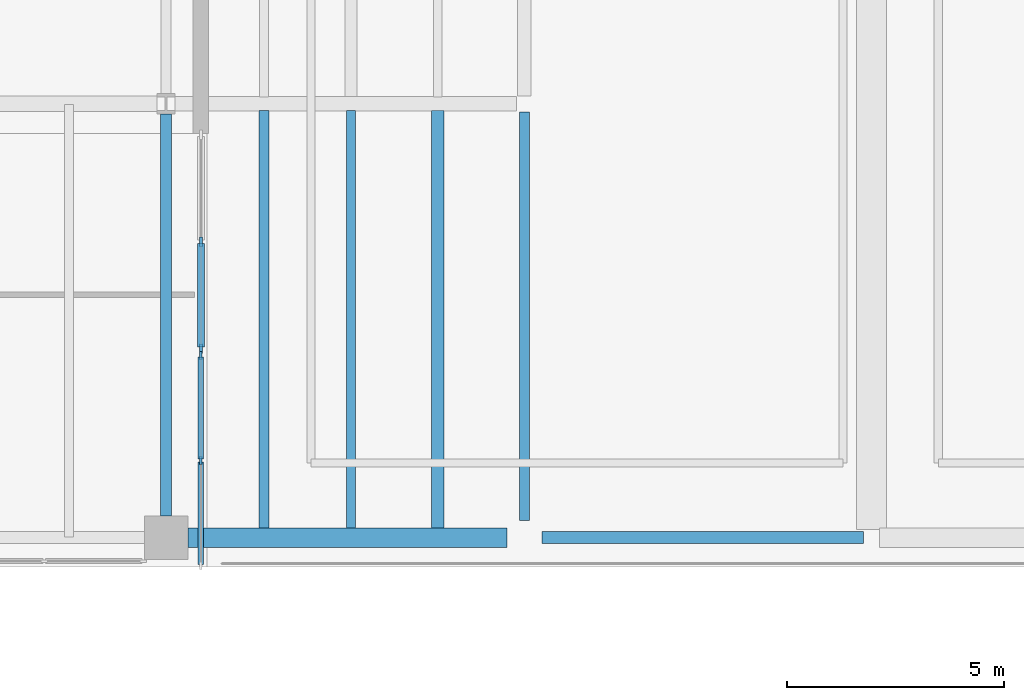
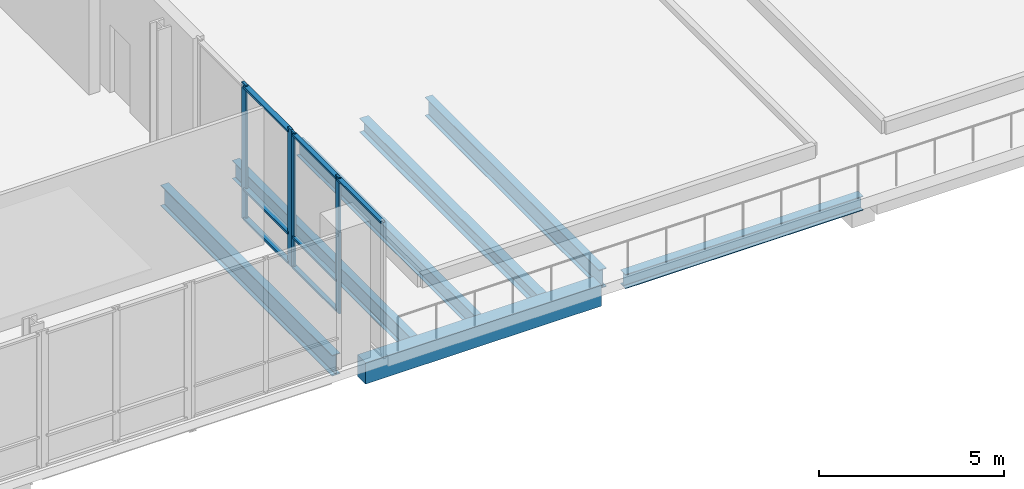
# One storey, part 19 of 41: 11 members, 7 beams, 2 elements without a shape of their own.
"""IFC4 building model written with IfcOpenShell, lengths in metres."""

from ifc_helpers import new_model, si_unit, direction, frame, origin, origin_2d, place, context, subcontext, project, spatial, rectangle, i_section, extrude, material, material_profile, profile_set, type_object, element, aggregate, save


model = new_model("IFC4")

# Units and contexts
model_context = context("Model", 3, precision=1e-05, world=origin(), true_north=direction((0.0, 1.0)))
body_context = subcontext(model_context, "Body", "Model", "MODEL_VIEW")
ifc_project = project(units=[si_unit("LENGTHUNIT", "METRE"), si_unit("AREAUNIT", "SQUARE_METRE"), si_unit("VOLUMEUNIT", "CUBIC_METRE"), si_unit("PLANEANGLEUNIT", "RADIAN"), si_unit("MASSUNIT", "GRAM", prefix="KILO")], contexts=[model_context])

# Site, building, storey
site_placement = place(None, origin())
site = spatial("IfcSite", under=ifc_project, at=site_placement, CompositionType="ELEMENT")
building_placement = place(site_placement, origin())
building = spatial("IfcBuilding", under=site, at=building_placement, Name="Trimount Lyric Opera House", CompositionType="ELEMENT")
storey_placement = place(building_placement, frame((0.0, 0.0, 20.0)))
storey = spatial("IfcBuildingStorey", under=building, at=storey_placement, Name="L04", CompositionType="ELEMENT", Elevation=20.0)

# Beams
ifc_material_1 = material(Name="Steel ASTM A992 Grade 50", Category="steel")
ifc_material_profile_1 = material_profile(ifc_material_1, i_section(OverallWidth=0.25390625, OverallDepth=0.68798828125, WebThickness=0.01318359375, FlangeThickness=0.02099609375, FilletRadius=0.01611328125, at=origin_2d()), Name="W27X102")
ifc_profile_set_1 = profile_set([ifc_material_profile_1], Name="Steel ASTM A992 Grade 50")
beam_type_1 = type_object("IfcBeamType", Name="B-09", PredefinedType="BEAM", material=ifc_profile_set_1)
beam_1_placement = place(storey_placement, frame((113.739990234375, 44.5, -0.6689453125), z_axis=(0.0, 1.0, 0.0), x_axis=(-1.0, 0.0, 0.0)))
element("IfcBeam", 1, at=beam_1_placement, inside=storey, type_object=beam_type_1, Name="L04 girder Y-1229", PredefinedType="BEAM", context=body_context, shape_type="SweptSolid", body=[
    extrude(i_section(OverallWidth=0.25390625, OverallDepth=0.68798828125, WebThickness=0.01318359375, FlangeThickness=0.02099609375, FilletRadius=0.01611328125, at=origin_2d()), origin(), (0.0, 0.0, 1.0), 9.267578125),
])
ifc_material_2 = material(Name="Steel ASTM A992 Grade 50", Category="steel")
ifc_material_profile_2 = material_profile(ifc_material_2, i_section(OverallWidth=0.22998046875, OverallDepth=0.616943359375, WebThickness=0.01318359375, FlangeThickness=0.022216796875, FilletRadius=0.013916015625, at=origin_2d()), Name="W24X94")
ifc_profile_set_2 = profile_set([ifc_material_profile_2], Name="Steel ASTM A992 Grade 50")
beam_type_2 = type_object("IfcBeamType", Name="B-11", PredefinedType="BEAM", material=ifc_profile_set_2)
beam_2_placement = place(storey_placement, frame((122.0, 44.39990234375, -0.658447265625), z_axis=(0.0, 1.0, 0.0), x_axis=(-1.0, 0.0, 0.0)))
element("IfcBeam", 2, at=beam_2_placement, inside=storey, type_object=beam_type_2, Name="L04 girder Y-1236", PredefinedType="BEAM", context=body_context, shape_type="SweptSolid", body=[
    extrude(i_section(OverallWidth=0.22998046875, OverallDepth=0.616943359375, WebThickness=0.01318359375, FlangeThickness=0.022216796875, FilletRadius=0.013916015625, at=origin_2d()), origin(), (0.0, 0.0, 1.0), 9.416015625),
])
ifc_material_3 = material(Name="Steel ASTM A992 Grade 50", Category="steel")
ifc_material_profile_3 = material_profile(ifc_material_3, i_section(OverallWidth=0.22802734375, OverallDepth=0.60205078125, WebThickness=0.010498046875, FlangeThickness=0.014892578125, FilletRadius=0.012939453125, at=origin_2d()), Name="W24X68")
ifc_profile_set_3 = profile_set([ifc_material_profile_3], Name="Steel ASTM A992 Grade 50")
beam_type_3 = type_object("IfcBeamType", Name="J-01", PredefinedType="BEAM", material=ifc_profile_set_3)
beam_3_placement = place(storey_placement, frame((116.0, 44.220947265625, -0.65087890625), z_axis=(0.0, 1.0, 0.0), x_axis=(-1.0, 0.0, 0.0)))
element("IfcBeam", 3, at=beam_3_placement, inside=storey, type_object=beam_type_3, Name="L04 composite floor joist 1213", PredefinedType="BEAM", context=body_context, shape_type="SweptSolid", body=[
    extrude(i_section(OverallWidth=0.22802734375, OverallDepth=0.60205078125, WebThickness=0.010498046875, FlangeThickness=0.014892578125, FilletRadius=0.012939453125, at=origin_2d()), origin(), (0.0, 0.0, 1.0), 9.619140625),
])
ifc_material_4 = material(Name="Steel ASTM A992 Grade 50", Category="steel")
ifc_material_profile_4 = material_profile(ifc_material_4, i_section(OverallWidth=0.2099609375, OverallDepth=0.532958984375, WebThickness=0.01025390625, FlangeThickness=0.015625, FilletRadius=0.012939453125, at=origin_2d()), Name="W21X62")
ifc_profile_set_4 = profile_set([ifc_material_profile_4], Name="Steel ASTM A992 Grade 50")
beam_type_4 = type_object("IfcBeamType", Name="J-02", PredefinedType="BEAM", material=ifc_profile_set_4)
beam_4_placement = place(storey_placement, frame((118.0, 44.220947265625, -0.616455078125), z_axis=(0.0, 1.0, 0.0), x_axis=(-1.0, 0.0, 0.0)))
element("IfcBeam", 4, at=beam_4_placement, inside=storey, type_object=beam_type_4, Name="L04 composite floor joist 1214", PredefinedType="BEAM", context=body_context, shape_type="SweptSolid", body=[
    extrude(i_section(OverallWidth=0.2099609375, OverallDepth=0.532958984375, WebThickness=0.01025390625, FlangeThickness=0.015625, FilletRadius=0.012939453125, at=origin_2d()), origin(), (0.0, 0.0, 1.0), 9.619140625),
])
ifc_material_5 = material(Name="Steel ASTM A992 Grade 50", Category="steel")
ifc_material_profile_5 = material_profile(ifc_material_5, i_section(OverallWidth=0.281982421875, OverallDepth=0.467041015625, WebThickness=0.01220703125, FlangeThickness=0.01953125, FilletRadius=0.012939453125, at=origin_2d()), Name="W18X86")
ifc_profile_set_5 = profile_set([ifc_material_profile_5], Name="Steel ASTM A992 Grade 50")
beam_type_5 = type_object("IfcBeamType", Name="J-03", PredefinedType="BEAM", material=ifc_profile_set_5)
beam_5_placement = place(storey_placement, frame((120.0, 44.220947265625, -0.58349609375), z_axis=(0.0, 1.0, 0.0), x_axis=(-1.0, 0.0, 0.0)))
element("IfcBeam", 5, at=beam_5_placement, inside=storey, type_object=beam_type_5, Name="L04 composite floor joist 1215", PredefinedType="BEAM", context=body_context, shape_type="SweptSolid", body=[
    extrude(i_section(OverallWidth=0.281982421875, OverallDepth=0.467041015625, WebThickness=0.01220703125, FlangeThickness=0.01953125, FilletRadius=0.012939453125, at=origin_2d()), origin(), (0.0, 0.0, 1.0), 9.619140625),
])

# Curtain wall, members
ifc_material_6 = material(Name="Thermally Broken Aluminium and Low-E Glass", Category="aluminium")
curtain_wall_type = type_object("IfcCurtainWallType", Name="CW-05", PredefinedType="NOTDEFINED", material=ifc_material_6)
curtain_wall_1_placement = place(storey_placement, origin())
curtain_wall_1 = element("IfcCurtainWall", 6, at=curtain_wall_1_placement, inside=storey, type_object=curtain_wall_type, Name="L04 curtain wall 321", PredefinedType="NOTDEFINED")
ifc_material_7 = material(Name="Anodised Aluminium 6063-T6", Category="aluminium")
ifc_material_profile_6 = material_profile(ifc_material_7, rectangle(XDim=0.070068359375, YDim=0.219970703125, at=origin_2d()), Name="ALU-MULL-70X220")
ifc_profile_set_6 = profile_set([ifc_material_profile_6], Name="Anodised Aluminium 6063-T6")
member_type_1 = type_object("IfcMemberType", Name="ML-01", PredefinedType="MULLION", material=ifc_profile_set_6)
member_1_placement = place(storey_placement, frame((114.5400390625, 50.820068359375, 0.0), z_axis=(0.0, 0.0, 1.0), x_axis=(1.0, 0.0, 0.0)))
member_1 = element("IfcMember", 7, at=member_1_placement, type_object=member_type_1, Name="CW-05 mullion 2", PredefinedType="MULLION", context=body_context, shape_type="SweptSolid", body=[
    extrude(rectangle(XDim=0.070068359375, YDim=0.219970703125, at=origin_2d()), origin(), (0.0, 0.0, 1.0), 4.5),
])
member_2_placement = place(storey_placement, frame((114.5400390625, 48.35498046875, 0.0), z_axis=(0.0, 0.0, 1.0), x_axis=(1.0, 0.0, 0.0)))
member_2 = element("IfcMember", 8, at=member_2_placement, type_object=member_type_1, Name="CW-05 mullion 3", PredefinedType="MULLION", context=body_context, shape_type="SweptSolid", body=[
    extrude(rectangle(XDim=0.070068359375, YDim=0.219970703125, at=origin_2d()), origin(), (0.0, 0.0, 1.0), 4.5),
])

curtain_wall_2_placement = place(storey_placement, origin())
curtain_wall_2 = element("IfcCurtainWall", 9, at=curtain_wall_2_placement, inside=storey, type_object=curtain_wall_type, Name="L04 curtain wall 322", PredefinedType="NOTDEFINED")
ifc_material_8 = material(Name="Anodised Aluminium 6063-T6", Category="aluminium")
ifc_material_profile_7 = material_profile(ifc_material_8, rectangle(XDim=0.06494140625, YDim=0.179931640625, at=origin_2d()), Name="ALU-MULL-65X180")
ifc_profile_set_7 = profile_set([ifc_material_profile_7], Name="Anodised Aluminium 6063-T6")
member_type_2 = type_object("IfcMemberType", Name="ML-02", PredefinedType="MULLION", material=ifc_profile_set_7)
member_3_placement = place(storey_placement, frame((114.5400390625, 48.197509765625, 0.0), z_axis=(0.0, 0.0, 1.0), x_axis=(1.0, 0.0, 0.0)))
member_3 = element("IfcMember", 10, at=member_3_placement, type_object=member_type_2, Name="CW-05 mullion 1", PredefinedType="MULLION", context=body_context, shape_type="SweptSolid", body=[
    extrude(rectangle(XDim=0.06494140625, YDim=0.179931640625, at=origin_2d()), origin(), (0.0, 0.0, 1.0), 4.5),
])
member_4_placement = place(storey_placement, frame((114.5400390625, 45.77490234375, 0.0), z_axis=(0.0, 0.0, 1.0), x_axis=(1.0, 0.0, 0.0)))
member_4 = element("IfcMember", 11, at=member_4_placement, type_object=member_type_2, Name="CW-05 mullion 2", PredefinedType="MULLION", context=body_context, shape_type="SweptSolid", body=[
    extrude(rectangle(XDim=0.06494140625, YDim=0.179931640625, at=origin_2d()), origin(), (0.0, 0.0, 1.0), 4.5),
])

# Beams
ifc_material_9 = material(Name="Steel ASTM A992 Grade 50", Category="steel")
ifc_material_profile_8 = material_profile(ifc_material_9, i_section(OverallWidth=0.281982421875, OverallDepth=0.467041015625, WebThickness=0.01220703125, FlangeThickness=0.01953125, FilletRadius=0.012939453125, at=origin_2d()), Name="W18X86")
ifc_profile_set_8 = profile_set([ifc_material_profile_8], Name="Steel ASTM A992 Grade 50")
beam_type_6 = type_object("IfcBeamType", Name="SP-01", PredefinedType="SPANDREL", material=ifc_profile_set_8)
beam_6_placement = place(storey_placement, frame((122.39990234375, 44.0, -0.58349609375), z_axis=(1.0, 0.0, 0.0), x_axis=(0.0, 1.0, 0.0)))
element("IfcBeam", 12, at=beam_6_placement, inside=storey, type_object=beam_type_6, Name="L04 girder X-1134", PredefinedType="SPANDREL", context=body_context, shape_type="SweptSolid", body=[
    extrude(i_section(OverallWidth=0.281982421875, OverallDepth=0.467041015625, WebThickness=0.01220703125, FlangeThickness=0.01953125, FilletRadius=0.012939453125, at=origin_2d()), origin(), (0.0, 0.0, 1.0), 7.41357421875),
])
ifc_material_10 = material(Name="Concrete C40/50", Category="concrete")
ifc_material_profile_9 = material_profile(ifc_material_10, rectangle(XDim=0.449951171875, YDim=0.699951171875, at=origin_2d()), Name="RC450X700")
ifc_profile_set_9 = profile_set([ifc_material_profile_9], Name="Concrete C40/50")
beam_type_7 = type_object("IfcBeamType", Name="SP-02", PredefinedType="SPANDREL", material=ifc_profile_set_9)
beam_7_placement = place(storey_placement, frame((114.239990234375, 44.0, -0.699951171875), z_axis=(1.0, 0.0, 0.0), x_axis=(0.0, 1.0, 0.0)))
element("IfcBeam", 13, at=beam_7_placement, inside=storey, type_object=beam_type_7, Name="L04 girder X-1133", PredefinedType="SPANDREL", context=body_context, shape_type="SweptSolid", body=[
    extrude(rectangle(XDim=0.449951171875, YDim=0.699951171875, at=origin_2d()), origin(), (0.0, 0.0, 1.0), 7.360107421875),
])

# Member
ifc_material_11 = material(Name="Anodised Aluminium 6063-T6", Category="aluminium")
ifc_material_profile_10 = material_profile(ifc_material_11, rectangle(XDim=0.159912109375, YDim=0.070068359375, at=origin_2d()), Name="ALU-TRAN-70X160")
ifc_profile_set_10 = profile_set([ifc_material_profile_10], Name="Anodised Aluminium 6063-T6")
member_type_3 = type_object("IfcMemberType", Name="TR-01", PredefinedType="USERDEFINED", material=ifc_profile_set_10)
member_5_placement = place(storey_placement, frame((114.5400390625, 50.784912109375, 0.080078125), z_axis=(0.0, -1.0, 0.0), x_axis=(1.0, 0.0, 0.0)))
member_5 = element("IfcMember", 14, at=member_5_placement, type_object=member_type_3, Name="CW-05 transom 2.1", ObjectType="TRANSOM", PredefinedType="USERDEFINED", context=body_context, shape_type="SweptSolid", body=[
    extrude(rectangle(XDim=0.159912109375, YDim=0.070068359375, at=origin_2d()), origin(), (0.0, 0.0, 1.0), 2.39501953125),
])

member_6_placement = place(storey_placement, frame((114.5400390625, 50.784912109375, 1.050048828125), z_axis=(0.0, -1.0, 0.0), x_axis=(1.0, 0.0, 0.0)))
member_6 = element("IfcMember", 15, at=member_6_placement, type_object=member_type_3, Name="CW-05 transom 2.2", ObjectType="TRANSOM", PredefinedType="USERDEFINED", context=body_context, shape_type="SweptSolid", body=[
    extrude(rectangle(XDim=0.159912109375, YDim=0.070068359375, at=origin_2d()), origin(), (0.0, 0.0, 1.0), 2.39501953125),
])

member_7_placement = place(storey_placement, frame((114.5400390625, 50.784912109375, 4.419921875), z_axis=(0.0, -1.0, 0.0), x_axis=(1.0, 0.0, 0.0)))
member_7 = element("IfcMember", 16, at=member_7_placement, type_object=member_type_3, Name="CW-05 transom 2.3", ObjectType="TRANSOM", PredefinedType="USERDEFINED", context=body_context, shape_type="SweptSolid", body=[
    extrude(rectangle(XDim=0.159912109375, YDim=0.070068359375, at=origin_2d()), origin(), (0.0, 0.0, 1.0), 2.39501953125),
])

aggregate(curtain_wall_1, [member_1, member_2, member_5, member_6, member_7])

ifc_material_12 = material(Name="Anodised Aluminium 6063-T6", Category="aluminium")
ifc_material_profile_11 = material_profile(ifc_material_12, rectangle(XDim=0.135009765625, YDim=0.06494140625, at=origin_2d()), Name="ALU-TRAN-65X135")
ifc_profile_set_11 = profile_set([ifc_material_profile_11], Name="Anodised Aluminium 6063-T6")
member_type_4 = type_object("IfcMemberType", Name="TR-02", PredefinedType="USERDEFINED", material=ifc_profile_set_11)
member_8_placement = place(storey_placement, frame((114.5400390625, 48.1650390625, 0.0673828125), z_axis=(0.0, -1.0, 0.0), x_axis=(1.0, 0.0, 0.0)))
member_8 = element("IfcMember", 17, at=member_8_placement, type_object=member_type_4, Name="CW-05 transom 1.1", ObjectType="TRANSOM", PredefinedType="USERDEFINED", context=body_context, shape_type="SweptSolid", body=[
    extrude(rectangle(XDim=0.135009765625, YDim=0.06494140625, at=origin_2d()), origin(), (0.0, 0.0, 1.0), 2.357421875),
])

member_9_placement = place(storey_placement, frame((114.5400390625, 48.1650390625, 1.050048828125), z_axis=(0.0, -1.0, 0.0), x_axis=(1.0, 0.0, 0.0)))
member_9 = element("IfcMember", 18, at=member_9_placement, type_object=member_type_4, Name="CW-05 transom 1.2", ObjectType="TRANSOM", PredefinedType="USERDEFINED", context=body_context, shape_type="SweptSolid", body=[
    extrude(rectangle(XDim=0.135009765625, YDim=0.06494140625, at=origin_2d()), origin(), (0.0, 0.0, 1.0), 2.357421875),
])

member_10_placement = place(storey_placement, frame((114.5400390625, 48.1650390625, 4.4326171875), z_axis=(0.0, -1.0, 0.0), x_axis=(1.0, 0.0, 0.0)))
member_10 = element("IfcMember", 19, at=member_10_placement, type_object=member_type_4, Name="CW-05 transom 1.3", ObjectType="TRANSOM", PredefinedType="USERDEFINED", context=body_context, shape_type="SweptSolid", body=[
    extrude(rectangle(XDim=0.135009765625, YDim=0.06494140625, at=origin_2d()), origin(), (0.0, 0.0, 1.0), 2.357421875),
])

member_11_placement = place(storey_placement, frame((114.5400390625, 45.742431640625, 4.4326171875), z_axis=(0.0, -1.0, 0.0), x_axis=(1.0, 0.0, 0.0)))
member_11 = element("IfcMember", 20, at=member_11_placement, type_object=member_type_4, Name="CW-05 transom 2.3", ObjectType="TRANSOM", PredefinedType="USERDEFINED", context=body_context, shape_type="SweptSolid", body=[
    extrude(rectangle(XDim=0.135009765625, YDim=0.06494140625, at=origin_2d()), origin(), (0.0, 0.0, 1.0), 2.357421875),
])

aggregate(curtain_wall_2, [member_3, member_4, member_8, member_9, member_10, member_11])

save(model, "model.ifc")
